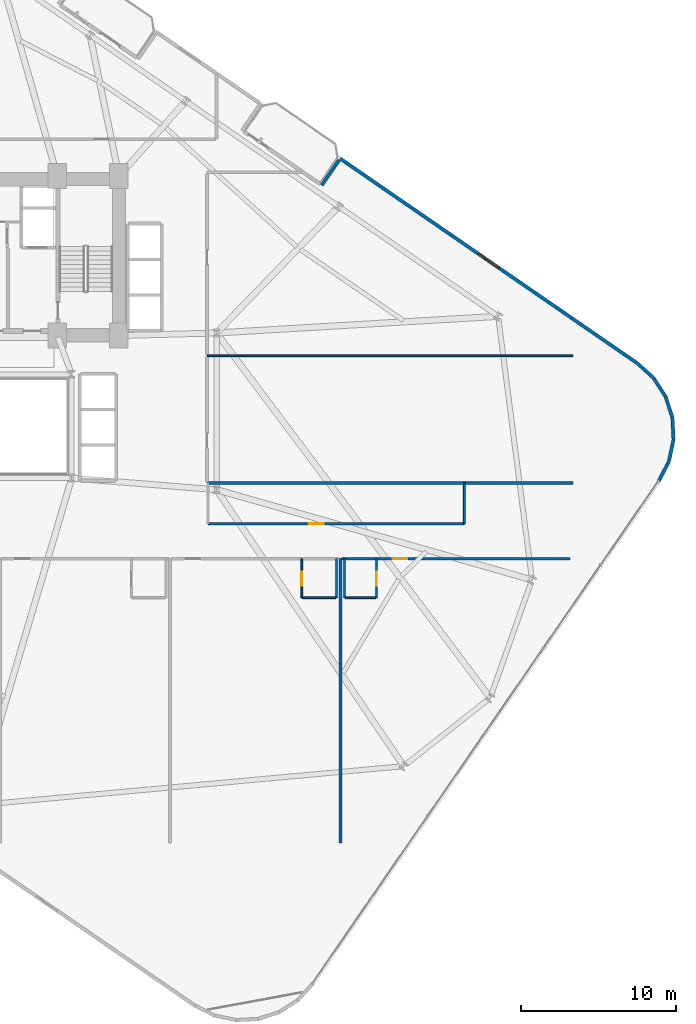
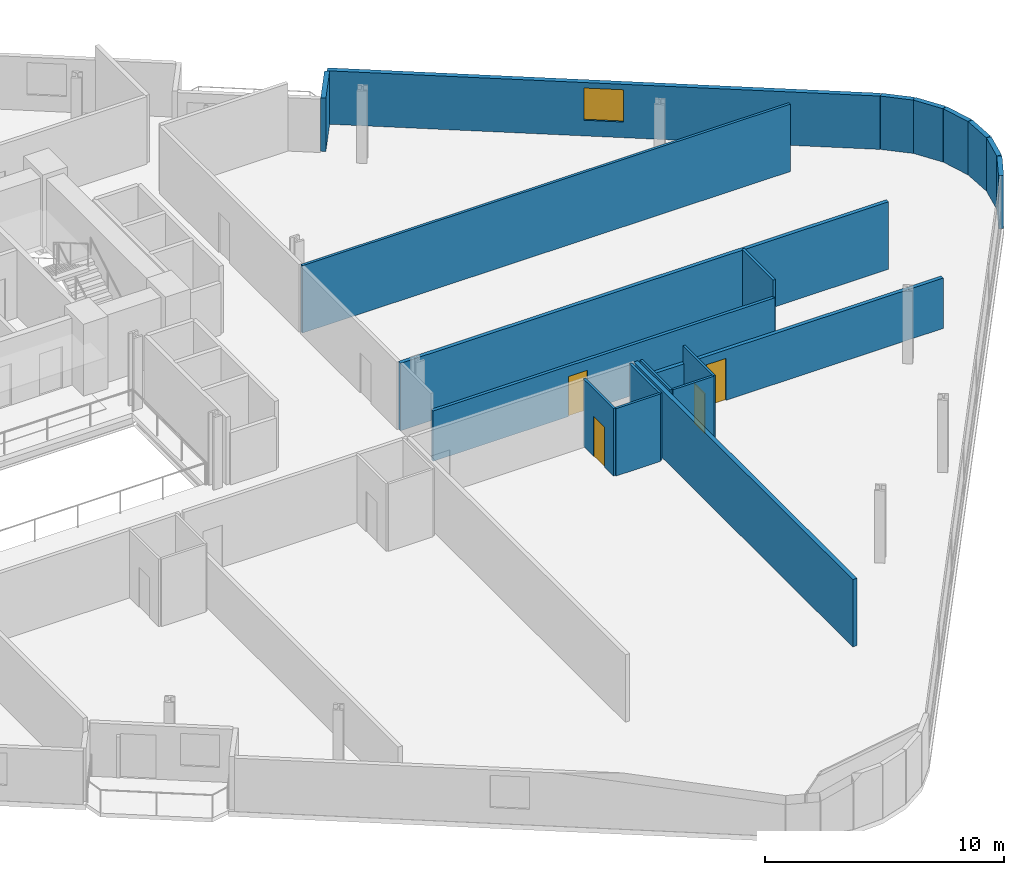
# One storey, part 22 of 26: 20 walls, 4 doors, 1 window, 5 openings.
"""IFC4 building model written with IfcOpenShell, lengths in metres."""

from ifc_helpers import new_model, si_unit, direction, frame, frame_2d, origin, place, context, subcontext, project, spatial, rectangle, extrude, material, layer, layer_set, type_object, element, fill, save


model = new_model("IFC4")

# Units and contexts
model_context = context("Model", 3, precision=1e-05, world=origin(), true_north=direction((0.0, 1.0)))
body_context = subcontext(model_context, "Body", "Model", "MODEL_VIEW")
ifc_project = project(units=[si_unit("LENGTHUNIT", "METRE"), si_unit("AREAUNIT", "SQUARE_METRE"), si_unit("VOLUMEUNIT", "CUBIC_METRE"), si_unit("PLANEANGLEUNIT", "RADIAN"), si_unit("MASSUNIT", "GRAM", prefix="KILO")], contexts=[model_context])

# Site, building, storey
site_placement = place(None, origin())
site = spatial("IfcSite", under=ifc_project, at=site_placement, CompositionType="ELEMENT")
building_placement = place(site_placement, origin())
building = spatial("IfcBuilding", under=site, at=building_placement, Name="Varnelok Gate Tower", CompositionType="ELEMENT")
storey_placement = place(building_placement, frame((0.0, 0.0, 45.5)))
storey = spatial("IfcBuildingStorey", under=building, at=storey_placement, Name="L10", CompositionType="ELEMENT", Elevation=45.5)

# Walls
ifc_material_1 = material(Name="Concrete C45/55", Category="concrete")
ifc_layer_1 = layer(ifc_material_1, 0.219970703125)
ifc_layer_set_1 = layer_set([ifc_layer_1], Name="Concrete C45/55")
wall_type_1 = type_object("IfcWallType", Name="EW-BALC-220", PredefinedType="SOLIDWALL", material=ifc_layer_set_1)
wall_1_placement = place(storey_placement, frame((82.55810546875, 19.355224609375, 0.0), z_axis=(0.0, 0.0, 1.0), x_axis=(0.454777156549, 0.890605264908, 0.0)))
element("IfcWall", 1, at=wall_1_placement, inside=storey, type_object=wall_type_1, Name="L10 Perimeter Facade Closure Wall 20", PredefinedType="SOLIDWALL", context=body_context, shape_type="SweptSolid", body=[
    extrude(rectangle(XDim=1.43017578125, YDim=0.219970703125, at=frame_2d((0.715087890625, 0.0))), origin(), (0.0, 0.0, 1.0), 2.72998046875),
])
wall_2_placement = place(storey_placement, frame((83.2138671875, 20.653564453125, 0.0), z_axis=(0.0, 0.0, 1.0), x_axis=(0.208829011645, 0.977952168511, 0.0)))
element("IfcWall", 2, at=wall_2_placement, inside=storey, type_object=wall_type_1, Name="L10 Perimeter Facade Closure Wall 21", PredefinedType="SOLIDWALL", context=body_context, shape_type="SweptSolid", body=[
    extrude(rectangle(XDim=1.4052734375, YDim=0.219970703125, at=frame_2d((0.70263671875, 0.0))), origin(), (0.0, 0.0, 1.0), 2.72998046875),
])
wall_3_placement = place(storey_placement, frame((83.506103515625, 22.052734375, 0.0), z_axis=(0.0, 0.0, 1.0), x_axis=(-0.051245849735, 0.998686068234, 0.0)))
element("IfcWall", 3, at=wall_3_placement, inside=storey, type_object=wall_type_1, Name="L10 Perimeter Facade Closure Wall 22", PredefinedType="SOLIDWALL", context=body_context, shape_type="SweptSolid", body=[
    extrude(rectangle(XDim=1.405517578125, YDim=0.219970703125, at=frame_2d((0.70263671875, 0.0))), origin(), (0.0, 0.0, 1.0), 2.72998046875),
])
for number, where, z_axis, x_axis, name in (
    (4, (83.426513671875, 23.47998046875, 0.0), (0.0, 0.0, 1.0), (-0.308033059501, 0.951375653596, 0.0), "L10 Perimeter Facade Closure Wall 23"),
    (5, (82.97998046875, 24.837890625, 0.0), (0.0, 0.0, 1.0), (-0.543748195851, 0.839248413468, 0.0), "L10 Perimeter Facade Closure Wall 24"),
):
    element("IfcWall", number, at=place(storey_placement, frame(where, z_axis=z_axis, x_axis=x_axis)), inside=storey, type_object=wall_type_1, Name=name, PredefinedType="SOLIDWALL", context=body_context, shape_type="SweptSolid", body=[
        extrude(rectangle(XDim=1.4052734375, YDim=0.219970703125, at=frame_2d((0.70263671875, 0.0))), origin(), (0.0, 0.0, 1.0), 2.72998046875),
    ])
wall_4_placement = place(storey_placement, frame((82.197265625, 26.033935546875, 0.0), z_axis=(0.0, 0.0, 1.0), x_axis=(-0.742374254638, 0.669985422268, 0.0)))
element("IfcWall", 6, at=wall_4_placement, inside=storey, type_object=wall_type_1, Name="L10 Perimeter Facade Closure Wall 25", PredefinedType="SOLIDWALL", context=body_context, shape_type="SweptSolid", body=[
    extrude(rectangle(XDim=1.4130859375, YDim=0.219970703125, at=frame_2d((0.70654296875, 0.0))), origin(), (0.0, 0.0, 1.0), 2.72998046875),
])

# Wall, opening, window
wall_5_placement = place(storey_placement, frame((81.12744140625, 26.994873046875, 0.0), z_axis=(0.0, 0.0, 1.0), x_axis=(-0.823530169317, 0.567272474411, 0.0)))
wall_5 = element("IfcWall", 7, at=wall_5_placement, inside=storey, type_object=wall_type_1, Name="L10 Perimeter Facade Closure Wall 26", PredefinedType="SOLIDWALL", context=body_context, shape_type="SweptSolid", body=[
    extrude(rectangle(XDim=23.247314453125, YDim=0.219970703125, at=frame_2d((11.62353515625, 0.0))), origin(), (0.0, 0.0, 1.0), 2.72998046875),
])
opening_1_placement = place(wall_5_placement, frame((10.798583984375, 0.0, 0.800048828125)))
opening_1 = element("IfcOpeningElement", 8, at=opening_1_placement, cuts=wall_5, Name="Opening WN3", PredefinedType="OPENING", context=body_context, shape_type="SweptSolid", body=[
    extrude(rectangle(XDim=1.64990234375, YDim=1.64990234375, at=frame_2d((0.824951171875, 0.824951171875))), frame((0.0, 0.119873046875, 0.0), z_axis=(0.0, -1.0, 0.0), x_axis=(1.0, 0.0, 0.0)), (0.0, 0.0, 1.0), 0.239990234375),
])
ifc_material_2 = material(Name="Low-E Laminated Double Glazing IGU", Category="glass")
window_type = type_object("IfcWindowType", Name="WN-HTL-1650", PartitioningType="SINGLE_PANEL", PredefinedType="WINDOW", material=ifc_material_2)
window_placement = place(opening_1_placement, origin())
window = element("IfcWindow", 9, at=window_placement, inside=storey, type_object=window_type, Name="L10 Perimeter Vision Window 26", OverallHeight=1.64990234375, OverallWidth=1.64990234375, PartitioningType="SINGLE_PANEL", PredefinedType="WINDOW", context=body_context, shape_type="SweptSolid", body=[
    extrude(rectangle(XDim=1.64990234375, YDim=1.64990234375, at=frame_2d((0.824951171875, 0.824951171875))), frame((0.0, 0.030029296875, 0.0), z_axis=(0.0, -1.0, 0.0), x_axis=(1.0, 0.0, 0.0)), (0.0, 0.0, 1.0), 0.06005859375),
])
fill(opening_1, window)

# Wall
wall_6_placement = place(storey_placement, frame((61.91162109375, 40.079345703125, 0.0), z_axis=(0.0, 0.0, 1.0), x_axis=(-0.567189720735, -0.82358716642, 0.0)))
element("IfcWall", 10, at=wall_6_placement, inside=storey, type_object=wall_type_1, Name="L10 Perimeter Facade Closure Wall 27", PredefinedType="SOLIDWALL", context=body_context, shape_type="SweptSolid", body=[
    extrude(rectangle(XDim=1.974853515625, YDim=0.219970703125, at=frame_2d((0.9873046875, 0.0))), origin(), (0.0, 0.0, 1.0), 2.72998046875),
])

# Wall, opening, door
ifc_material_3 = material(Name="Gypsum Plasterboard Acoustic Partition", Category="gypsum")
ifc_layer_2 = layer(ifc_material_3, 0.179931640625)
ifc_layer_set_2 = layer_set([ifc_layer_2], Name="Gypsum Plasterboard Acoustic Partition")
wall_type_2 = type_object("IfcWallType", Name="PW-CORR-180", PredefinedType="PARTITIONING", material=ifc_layer_set_2)
wall_7_placement = place(storey_placement, frame((62.080078125, 14.35009765625, 0.0), z_axis=(0.0, 0.0, 1.0), x_axis=(1.0, 0.0, 0.0)))
wall_7 = element("IfcWall", 11, at=wall_7_placement, inside=storey, type_object=wall_type_2, Name="Interior Partition", PredefinedType="PARTITIONING", context=body_context, shape_type="SweptSolid", body=[
    extrude(rectangle(XDim=14.739990234375, YDim=0.179931640625, at=frame_2d((7.3701171875, 0.0))), origin(), (0.0, 0.0, 1.0), 2.580078125),
])
opening_2_placement = place(wall_7_placement, frame((3.283935546875, 0.0, 0.0)))
opening_2 = element("IfcOpeningElement", 12, at=opening_2_placement, cuts=wall_7, Name="Opening D-HT", PredefinedType="OPENING", context=body_context, shape_type="SweptSolid", body=[
    extrude(rectangle(XDim=0.949951171875, YDim=2.14990234375, at=frame_2d((0.47509765625, 1.074951171875))), frame((0.0, 0.099853515625, 0.0), z_axis=(0.0, -1.0, 0.0), x_axis=(1.0, 0.0, 0.0)), (0.0, 0.0, 1.0), 0.199951171875),
])
ifc_material_4 = material(Name="Engineered Hardwood Timber", Category="wood")
door_type_1 = type_object("IfcDoorType", Name="DR-HTL-950", OperationType="NOTDEFINED", PredefinedType="DOOR", material=ifc_material_4)
door_1_placement = place(opening_2_placement, origin())
door_1 = element("IfcDoor", 13, at=door_1_placement, inside=storey, type_object=door_type_1, Name="L10 Guest Room 06 Entrance Door", OperationType="SINGLE_SWING_LEFT", OverallHeight=2.14990234375, OverallWidth=0.949951171875, PredefinedType="DOOR", context=body_context, shape_type="SweptSolid", body=[
    extrude(rectangle(XDim=0.949951171875, YDim=2.14990234375, at=frame_2d((0.47509765625, 1.074951171875))), frame((0.0, 0.02490234375, 0.0), z_axis=(0.0, -1.0, 0.0), x_axis=(1.0, 0.0, 0.0)), (0.0, 0.0, 1.0), 0.050048828125),
])
fill(opening_2, door_1)

# Walls
wall_8_placement = place(storey_placement, frame((53.389892578125, 19.239990234375, 0.0), z_axis=(0.0, 0.0, 1.0), x_axis=(1.0, 0.0, 0.0)))
element("IfcWall", 14, at=wall_8_placement, inside=storey, type_object=wall_type_2, Name="Interior Partition", PredefinedType="PARTITIONING", context=body_context, shape_type="SweptSolid", body=[
    extrude(rectangle(XDim=23.610107421875, YDim=0.179931640625, at=frame_2d((11.80517578125, 0.0))), origin(), (0.0, 0.0, 1.0), 3.449951171875),
])
ifc_layer_3 = layer(ifc_material_3, 0.114990234375)
ifc_layer_set_3 = layer_set([ifc_layer_3], Name="Gypsum Plasterboard Acoustic Partition")
wall_type_3 = type_object("IfcWallType", Name="PW-ENS-125", PredefinedType="PARTITIONING", material=ifc_layer_set_3)
wall_9_placement = place(storey_placement, frame((59.550048828125, 11.830078125, 0.0), z_axis=(0.0, 0.0, 1.0), x_axis=(1.0, 0.0, 0.0)))
element("IfcWall", 15, at=wall_9_placement, inside=storey, type_object=wall_type_3, Name="Interior Partition", PredefinedType="PARTITIONING", context=body_context, shape_type="SweptSolid", body=[
    extrude(rectangle(XDim=2.14990234375, YDim=0.114990234375, at=frame_2d((1.074951171875, 0.0))), origin(), (0.0, 0.0, 1.0), 3.449951171875),
])

# Wall, opening, door
wall_10_placement = place(storey_placement, frame((59.510009765625, 11.830078125, 0.0), z_axis=(0.0, 0.0, 1.0), x_axis=(0.0, 1.0, 0.0)))
wall_10 = element("IfcWall", 16, at=wall_10_placement, inside=storey, type_object=wall_type_3, Name="Interior Partition", PredefinedType="PARTITIONING", context=body_context, shape_type="SweptSolid", body=[
    extrude(rectangle(XDim=2.52001953125, YDim=0.114990234375, at=frame_2d((1.260009765625, 0.0))), origin(), (0.0, 0.0, 1.0), 3.449951171875),
])
opening_3_placement = place(wall_10_placement, frame((0.760009765625, 0.0, 0.0)))
opening_3 = element("IfcOpeningElement", 17, at=opening_3_placement, cuts=wall_10, Name="Opening D-WC", PredefinedType="OPENING", context=body_context, shape_type="SweptSolid", body=[
    extrude(rectangle(XDim=0.89990234375, YDim=2.050048828125, at=frame_2d((0.449951171875, 1.02490234375))), frame((0.0, 0.0673828125, 0.0), z_axis=(0.0, -1.0, 0.0), x_axis=(1.0, 0.0, 0.0)), (0.0, 0.0, 1.0), 0.135009765625),
])
door_type_2 = type_object("IfcDoorType", Name="DR-BATH-900", OperationType="NOTDEFINED", PredefinedType="DOOR", material=ifc_material_4)
door_2_placement = place(opening_3_placement, origin())
door_2 = element("IfcDoor", 18, at=door_2_placement, inside=storey, type_object=door_type_2, Name="L10 Guest En-Suite 05 Door", OperationType="SINGLE_SWING_RIGHT", OverallHeight=2.050048828125, OverallWidth=0.89990234375, PredefinedType="DOOR", context=body_context, shape_type="SweptSolid", body=[
    extrude(rectangle(XDim=0.89990234375, YDim=2.050048828125, at=frame_2d((0.449951171875, 1.02490234375))), frame((0.0, 0.02490234375, 0.0), z_axis=(0.0, -1.0, 0.0), x_axis=(1.0, 0.0, 0.0)), (0.0, 0.0, 1.0), 0.050048828125),
])
fill(opening_3, door_2)

# Walls
wall_11_placement = place(storey_placement, frame((61.739990234375, 11.830078125, 0.0), z_axis=(0.0, 0.0, 1.0), x_axis=(0.0, 1.0, 0.0)))
element("IfcWall", 19, at=wall_11_placement, inside=storey, type_object=wall_type_3, Name="Interior Partition", PredefinedType="PARTITIONING", context=body_context, shape_type="SweptSolid", body=[
    extrude(rectangle(XDim=2.52001953125, YDim=0.114990234375, at=frame_2d((1.260009765625, 0.0))), origin(), (0.0, 0.0, 1.0), 3.449951171875),
])
wall_12_placement = place(storey_placement, frame((62.300048828125, 11.830078125, 0.0), z_axis=(0.0, 0.0, 1.0), x_axis=(1.0, 0.0, 0.0)))
element("IfcWall", 20, at=wall_12_placement, inside=storey, type_object=wall_type_3, Name="Interior Partition", PredefinedType="PARTITIONING", context=body_context, shape_type="SweptSolid", body=[
    extrude(rectangle(XDim=1.987060546875, YDim=0.114990234375, at=frame_2d((0.99365234375, 0.0))), origin(), (0.0, 0.0, 1.0), 3.449951171875),
])

# Wall, opening, door
wall_13_placement = place(storey_placement, frame((64.3271484375, 11.830078125, 0.0), z_axis=(0.0, 0.0, 1.0), x_axis=(0.0, 1.0, 0.0)))
wall_13 = element("IfcWall", 21, at=wall_13_placement, inside=storey, type_object=wall_type_3, Name="Interior Partition", PredefinedType="PARTITIONING", context=body_context, shape_type="SweptSolid", body=[
    extrude(rectangle(XDim=2.52001953125, YDim=0.114990234375, at=frame_2d((1.260009765625, 0.0))), origin(), (0.0, 0.0, 1.0), 3.449951171875),
])
opening_4_placement = place(wall_13_placement, frame((0.760009765625, 0.0, 0.0)))
opening_4 = element("IfcOpeningElement", 22, at=opening_4_placement, cuts=wall_13, Name="Opening D-WC", PredefinedType="OPENING", context=body_context, shape_type="SweptSolid", body=[
    extrude(rectangle(XDim=0.89990234375, YDim=2.050048828125, at=frame_2d((0.449951171875, 1.02490234375))), frame((0.0, 0.0673828125, 0.0), z_axis=(0.0, -1.0, 0.0), x_axis=(1.0, 0.0, 0.0)), (0.0, 0.0, 1.0), 0.135009765625),
])
door_3_placement = place(opening_4_placement, origin())
door_3 = element("IfcDoor", 23, at=door_3_placement, inside=storey, type_object=door_type_2, Name="L10 Guest En-Suite 06 Door", OperationType="SINGLE_SWING_LEFT", OverallHeight=2.050048828125, OverallWidth=0.89990234375, PredefinedType="DOOR", context=body_context, shape_type="SweptSolid", body=[
    extrude(rectangle(XDim=0.89990234375, YDim=2.050048828125, at=frame_2d((0.449951171875, 1.02490234375))), frame((0.0, 0.02490234375, 0.0), z_axis=(0.0, -1.0, 0.0), x_axis=(1.0, 0.0, 0.0)), (0.0, 0.0, 1.0), 0.050048828125),
])
fill(opening_4, door_3)

# Walls
wall_14_placement = place(storey_placement, frame((62.260009765625, 11.830078125, 0.0), z_axis=(0.0, 0.0, 1.0), x_axis=(0.0, 1.0, 0.0)))
element("IfcWall", 24, at=wall_14_placement, inside=storey, type_object=wall_type_3, Name="Interior Partition", PredefinedType="PARTITIONING", context=body_context, shape_type="SweptSolid", body=[
    extrude(rectangle(XDim=2.52001953125, YDim=0.114990234375, at=frame_2d((1.260009765625, 0.0))), origin(), (0.0, 0.0, 1.0), 3.449951171875),
])
ifc_layer_4 = layer(ifc_material_3, 0.125)
ifc_layer_set_4 = layer_set([ifc_layer_4], Name="Gypsum Plasterboard Acoustic Partition")
wall_type_4 = type_object("IfcWallType", Name="PW-PART-125", PredefinedType="PARTITIONING", material=ifc_layer_set_4)
wall_15_placement = place(storey_placement, frame((70.0, 16.610107421875, 0.0), z_axis=(0.0, 0.0, 1.0), x_axis=(0.0, 1.0, 0.0)))
element("IfcWall", 25, at=wall_15_placement, inside=storey, type_object=wall_type_4, Name="Interior Partition", PredefinedType="PARTITIONING", context=body_context, shape_type="SweptSolid", body=[
    extrude(rectangle(XDim=2.6298828125, YDim=0.125, at=frame_2d((1.31494140625, 0.0))), origin(), (0.0, 0.0, 1.0), 3.449951171875),
])
wall_16_placement = place(storey_placement, frame((53.389892578125, 27.449951171875, 0.0), z_axis=(0.0, 0.0, 1.0), x_axis=(1.0, 0.0, 0.0)))
element("IfcWall", 26, at=wall_16_placement, inside=storey, type_object=wall_type_4, Name="Interior Partition", PredefinedType="PARTITIONING", context=body_context, shape_type="SweptSolid", body=[
    extrude(rectangle(XDim=23.610107421875, YDim=0.125, at=frame_2d((11.80517578125, 0.0))), origin(), (0.0, 0.0, 1.0), 3.449951171875),
])

# Wall, opening, door
ifc_layer_5 = layer(ifc_material_3, 0.14990234375)
ifc_layer_set_5 = layer_set([ifc_layer_5], Name="Gypsum Plasterboard Acoustic Partition")
wall_type_5 = type_object("IfcWallType", Name="PW-PART-150", PredefinedType="PARTITIONING", material=ifc_layer_set_5)
wall_17_placement = place(storey_placement, frame((53.449951171875, 16.610107421875, 0.0), z_axis=(0.0, 0.0, 1.0), x_axis=(1.0, 0.0, 0.0)))
wall_17 = element("IfcWall", 27, at=wall_17_placement, inside=storey, type_object=wall_type_5, Name="Interior Partition", PredefinedType="PARTITIONING", context=body_context, shape_type="SweptSolid", body=[
    extrude(rectangle(XDim=16.550048828125, YDim=0.14990234375, at=frame_2d((8.27490234375, 0.0))), origin(), (0.0, 0.0, 1.0), 2.580078125),
])
opening_5_placement = place(wall_17_placement, frame((6.547607421875, 0.0, 0.0)))
opening_5 = element("IfcOpeningElement", 28, at=opening_5_placement, cuts=wall_17, Name="Opening D-I3", PredefinedType="OPENING", context=body_context, shape_type="SweptSolid", body=[
    extrude(rectangle(XDim=0.919921875, YDim=2.050048828125, at=frame_2d((0.4599609375, 1.02490234375))), frame((0.0, 0.0849609375, 0.0), z_axis=(0.0, -1.0, 0.0), x_axis=(1.0, 0.0, 0.0)), (0.0, 0.0, 1.0), 0.169921875),
])
door_type_3 = type_object("IfcDoorType", Name="DR-INT-920", OperationType="NOTDEFINED", PredefinedType="DOOR", material=ifc_material_4)
door_4_placement = place(opening_5_placement, origin())
door_4 = element("IfcDoor", 29, at=door_4_placement, inside=storey, type_object=door_type_3, Name="L10 Atrium Room 2 Door", OperationType="SINGLE_SWING_LEFT", OverallHeight=2.050048828125, OverallWidth=0.919921875, PredefinedType="DOOR", context=body_context, shape_type="SweptSolid", body=[
    extrude(rectangle(XDim=0.919921875, YDim=2.050048828125, at=frame_2d((0.4599609375, 1.02490234375))), frame((0.0, 0.02490234375, 0.0), z_axis=(0.0, -1.0, 0.0), x_axis=(1.0, 0.0, 0.0)), (0.0, 0.0, 1.0), 0.050048828125),
])
fill(opening_5, door_4)

# Wall
ifc_layer_6 = layer(ifc_material_3, 0.205078125)
ifc_layer_set_6 = layer_set([ifc_layer_6], Name="Gypsum Plasterboard Acoustic Partition")
wall_type_6 = type_object("IfcWallType", Name="PW-PARTY-200", PredefinedType="PARTITIONING", material=ifc_layer_set_6)
wall_18_placement = place(storey_placement, frame((62.0, -4.0, 0.0), z_axis=(0.0, 0.0, 1.0), x_axis=(0.0, 1.0, 0.0)))
element("IfcWall", 30, at=wall_18_placement, inside=storey, type_object=wall_type_6, Name="L10 South Party Wall 5", PredefinedType="PARTITIONING", context=body_context, shape_type="SweptSolid", body=[
    extrude(rectangle(XDim=18.35009765625, YDim=0.205078125, at=frame_2d((9.175048828125, 0.0))), origin(), (0.0, 0.0, 1.0), 3.449951171875),
])

save(model, "model.ifc")
